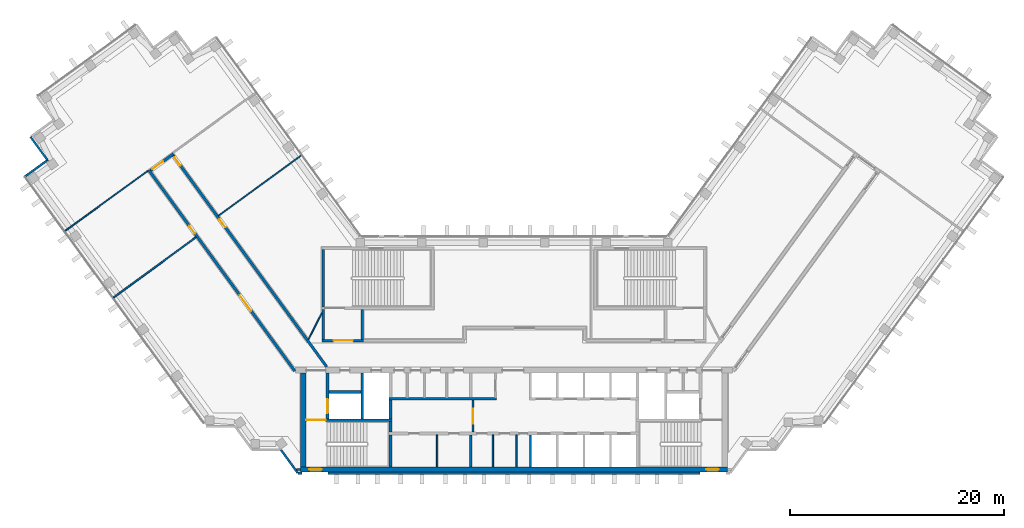
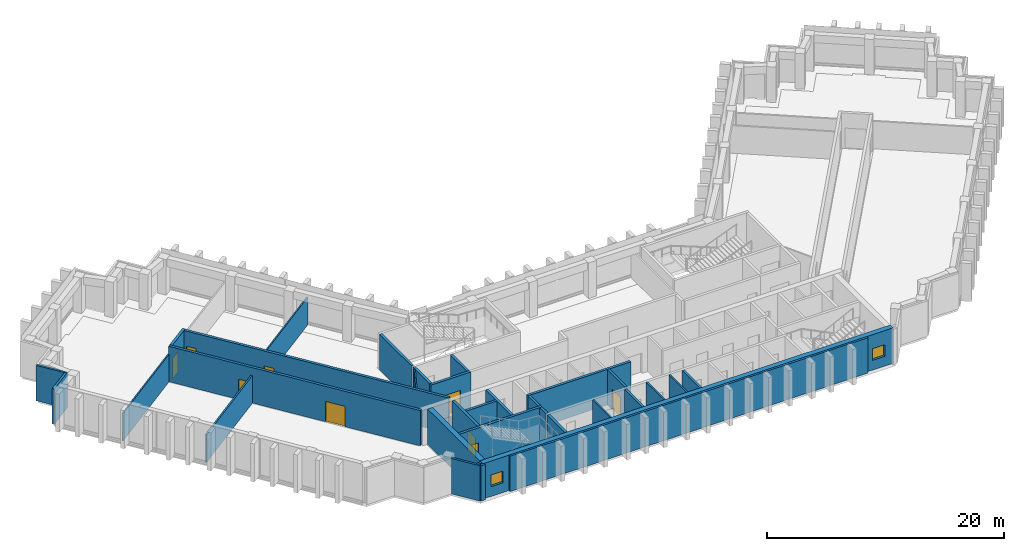
# One storey, part 4 of 10: 33 walls, 9 doors, 2 windows, 11 openings.
"""IFC4 building model written with IfcOpenShell, lengths in metres."""

from ifc_helpers import new_model, si_unit, direction, frame, frame_2d, origin, place, context, subcontext, project, spatial, rectangle, extrude, material, layer, layer_set, type_object, element, fill, save


model = new_model("IFC4")

# Units and contexts
model_context = context("Model", 3, precision=1e-05, world=origin(), true_north=direction((0.0, 1.0)))
body_context = subcontext(model_context, "Body", "Model", "MODEL_VIEW")
ifc_project = project(units=[si_unit("LENGTHUNIT", "METRE"), si_unit("AREAUNIT", "SQUARE_METRE"), si_unit("VOLUMEUNIT", "CUBIC_METRE"), si_unit("PLANEANGLEUNIT", "RADIAN"), si_unit("MASSUNIT", "GRAM", prefix="KILO")], contexts=[model_context])

# Site, building, storey
site_placement = place(None, origin())
site = spatial("IfcSite", under=ifc_project, at=site_placement, CompositionType="ELEMENT")
building_placement = place(site_placement, origin())
building = spatial("IfcBuilding", under=site, at=building_placement, Name="Quipu Civic Tower", CompositionType="ELEMENT")
storey_placement = place(building_placement, frame((0.0, 0.0, 180.0)))
storey = spatial("IfcBuildingStorey", under=building, at=storey_placement, Name="L42", CompositionType="ELEMENT", Elevation=180.0)

# Walls
ifc_material_1 = material(Name="Double gypsum plasterboard with mineral wool")
ifc_layer_1 = layer(ifc_material_1, 0.14990234375)
ifc_layer_set_1 = layer_set([ifc_layer_1], Name="Double gypsum plasterboard with mineral wool")
wall_type_1 = type_object("IfcWallType", Name="Acoustic partition 150 plasterboard", PredefinedType="PARTITIONING", material=ifc_layer_set_1)
wall_1_placement = place(storey_placement, frame((-37.506103515625, 5.380615234375, 0.0), z_axis=(0.0, 0.0, 1.0), x_axis=(0.807645841498, 0.589667868135, 0.0)))
element("IfcWall", 1, at=wall_1_placement, inside=storey, type_object=wall_type_1, Name="Partition P08", PredefinedType="PARTITIONING", context=body_context, shape_type="SweptSolid", body=[
    extrude(rectangle(XDim=9.550537109375, YDim=0.14990234375, at=frame_2d((4.775390625, 0.0))), origin(), (0.0, 0.0, 1.0), 2.85009765625),
])
ifc_material_2 = material(Name="Concrete C70/85", Category="concrete")
ifc_layer_2 = layer(ifc_material_2, 0.25)
ifc_layer_set_2 = layer_set([ifc_layer_2], Name="Concrete C70/85")
wall_type_2 = type_object("IfcWallType", Name="Core wall 250", PredefinedType="SHEAR", material=ifc_layer_set_2)
wall_2_placement = place(storey_placement, frame((-11.574951171875, -10.5, 0.0), z_axis=(0.0, 0.0, 1.0), x_axis=(0.0, 1.0, 0.0)))
element("IfcWall", 2, at=wall_2_placement, inside=storey, type_object=wall_type_2, Name="Core wall", PredefinedType="SHEAR", context=body_context, shape_type="SweptSolid", body=[
    extrude(rectangle(XDim=3.0, YDim=0.25, at=frame_2d((1.5, 0.0))), origin(), (0.0, 0.0, 1.0), 3.64990234375),
])
wall_3_placement = place(storey_placement, frame((-11.574951171875, -7.25, 0.0), z_axis=(0.0, 0.0, 1.0), x_axis=(0.0, 1.0, 0.0)))
element("IfcWall", 3, at=wall_3_placement, inside=storey, type_object=wall_type_2, Name="Core wall", PredefinedType="SHEAR", context=body_context, shape_type="SweptSolid", body=[
    extrude(rectangle(XDim=1.0, YDim=0.25, at=frame_2d((0.5, 0.0))), origin(), (0.0, 0.0, 1.0), 3.64990234375),
])

# Wall, opening, door
wall_4_placement = place(storey_placement, frame((-11.449951171875, -6.125, 0.0), z_axis=(0.0, 0.0, 1.0), x_axis=(-1.0, 0.0, 0.0)))
wall_4 = element("IfcWall", 4, at=wall_4_placement, inside=storey, type_object=wall_type_2, Name="Core wall", PredefinedType="SHEAR", context=body_context, shape_type="SweptSolid", body=[
    extrude(rectangle(XDim=8.050048828125, YDim=0.25, at=frame_2d((4.02490234375, 0.0))), origin(), (0.0, 0.0, 1.0), 3.64990234375),
])
opening_1_placement = place(wall_4_placement, frame((6.199951171875, 0.0, 0.0)))
opening_1 = element("IfcOpeningElement", 5, at=opening_1_placement, cuts=wall_4, Name="Opening CD-06", PredefinedType="OPENING", context=body_context, shape_type="SweptSolid", body=[
    extrude(rectangle(XDim=1.800048828125, YDim=2.10009765625, at=frame_2d((0.89990234375, 1.050048828125))), frame((0.0, 0.135009765625, 0.0), z_axis=(0.0, -1.0, 0.0), x_axis=(1.0, 0.0, 0.0)), (0.0, 0.0, 1.0), 0.27001953125),
])
ifc_material_3 = material(Name="Fire rated steel door", Category="steel")
door_type_1 = type_object("IfcDoorType", Name="Fire door FD90 double 1800 x 2100", OperationType="NOTDEFINED", PredefinedType="DOOR", material=ifc_material_3)
door_1_placement = place(opening_1_placement, origin())
door_1 = element("IfcDoor", 6, at=door_1_placement, inside=storey, type_object=door_type_1, Name="Door", OperationType="DOUBLE_DOOR_SINGLE_SWING", OverallHeight=2.10009765625, OverallWidth=1.800048828125, PredefinedType="DOOR", context=body_context, shape_type="SweptSolid", body=[
    extrude(rectangle(XDim=1.800048828125, YDim=2.10009765625, at=frame_2d((0.89990234375, 1.050048828125))), frame((0.0, 0.02490234375, 0.0), z_axis=(0.0, -1.0, 0.0), x_axis=(1.0, 0.0, 0.0)), (0.0, 0.0, 1.0), 0.050048828125),
])
fill(opening_1, door_1)

wall_5_placement = place(storey_placement, frame((-17.47509765625, -6.0, 0.0), z_axis=(0.0, 0.0, 1.0), x_axis=(0.0, 1.0, 0.0)))
wall_5 = element("IfcWall", 7, at=wall_5_placement, inside=storey, type_object=wall_type_2, Name="Core wall", PredefinedType="SHEAR", context=body_context, shape_type="SweptSolid", body=[
    extrude(rectangle(XDim=4.300048828125, YDim=0.25, at=frame_2d((2.14990234375, 0.0))), origin(), (0.0, 0.0, 1.0), 3.64990234375),
])
opening_2_placement = place(wall_5_placement, frame((0.550048828125, 0.0, 0.0)))
opening_2 = element("IfcOpeningElement", 8, at=opening_2_placement, cuts=wall_5, Name="Opening LD-FF1", PredefinedType="OPENING", context=body_context, shape_type="SweptSolid", body=[
    extrude(rectangle(XDim=1.300048828125, YDim=2.10009765625, at=frame_2d((0.64990234375, 1.050048828125))), frame((0.0, 0.135009765625, 0.0), z_axis=(0.0, -1.0, 0.0), x_axis=(1.0, 0.0, 0.0)), (0.0, 0.0, 1.0), 0.27001953125),
])
ifc_material_4 = material(Name="Stainless steel", Category="steel")
door_type_2 = type_object("IfcDoorType", Name="Lift landing door 1300 x 2100", OperationType="DOUBLE_DOOR_SLIDING", PredefinedType="DOOR", material=ifc_material_4)
door_2_placement = place(opening_2_placement, origin())
door_2 = element("IfcDoor", 9, at=door_2_placement, inside=storey, type_object=door_type_2, Name="Landing door FF1", OperationType="DOUBLE_DOOR_SLIDING", OverallHeight=2.10009765625, OverallWidth=1.300048828125, PredefinedType="DOOR", context=body_context, shape_type="SweptSolid", body=[
    extrude(rectangle(XDim=1.300048828125, YDim=2.10009765625, at=frame_2d((0.64990234375, 1.050048828125))), frame((0.0, 0.02490234375, 0.0), z_axis=(0.0, -1.0, 0.0), x_axis=(1.0, 0.0, 0.0)), (0.0, 0.0, 1.0), 0.050048828125),
])
fill(opening_2, door_2)

# Walls
wall_6_placement = place(storey_placement, frame((-14.22509765625, -6.0, 0.0), z_axis=(0.0, 0.0, 1.0), x_axis=(0.0, 1.0, 0.0)))
element("IfcWall", 10, at=wall_6_placement, inside=storey, type_object=wall_type_2, Name="Core wall", PredefinedType="SHEAR", context=body_context, shape_type="SweptSolid", body=[
    extrude(rectangle(XDim=4.300048828125, YDim=0.25, at=frame_2d((2.14990234375, 0.0))), origin(), (0.0, 0.0, 1.0), 3.64990234375),
])
wall_7_placement = place(storey_placement, frame((-11.574951171875, -6.0, 0.0), z_axis=(0.0, 0.0, 1.0), x_axis=(0.0, 1.0, 0.0)))
element("IfcWall", 11, at=wall_7_placement, inside=storey, type_object=wall_type_2, Name="Core wall", PredefinedType="SHEAR", context=body_context, shape_type="SweptSolid", body=[
    extrude(rectangle(XDim=1.75, YDim=0.25, at=frame_2d((0.875, 0.0))), origin(), (0.0, 0.0, 1.0), 3.64990234375),
])
wall_8_placement = place(storey_placement, frame((-11.699951171875, -4.125, 0.0), z_axis=(0.0, 0.0, 1.0), x_axis=(1.0, 0.0, 0.0)))
element("IfcWall", 12, at=wall_8_placement, inside=storey, type_object=wall_type_2, Name="Core wall", PredefinedType="SHEAR", context=body_context, shape_type="SweptSolid", body=[
    extrude(rectangle(XDim=10.050048828125, YDim=0.25, at=frame_2d((5.02490234375, 0.0))), origin(), (0.0, 0.0, 1.0), 3.64990234375),
])
wall_9_placement = place(storey_placement, frame((-17.35009765625, -3.47509765625, 0.0), z_axis=(0.0, 0.0, 1.0), x_axis=(1.0, 0.0, 0.0)))
element("IfcWall", 13, at=wall_9_placement, inside=storey, type_object=wall_type_2, Name="Core wall", PredefinedType="SHEAR", context=body_context, shape_type="SweptSolid", body=[
    extrude(rectangle(XDim=3.0, YDim=0.25, at=frame_2d((1.5, 0.0))), origin(), (0.0, 0.0, 1.0), 3.64990234375),
])

# Wall, opening, door
wall_10_placement = place(storey_placement, frame((-18.0, 1.324951171875, 0.0), z_axis=(0.0, 0.0, 1.0), x_axis=(1.0, 0.0, 0.0)))
wall_10 = element("IfcWall", 14, at=wall_10_placement, inside=storey, type_object=wall_type_2, Name="Core wall", PredefinedType="SHEAR", context=body_context, shape_type="SweptSolid", body=[
    extrude(rectangle(XDim=3.89990234375, YDim=0.25, at=frame_2d((1.949951171875, 0.0))), origin(), (0.0, 0.0, 1.0), 3.64990234375),
])
opening_3_placement = place(wall_10_placement, frame((1.10009765625, 0.0, 0.0)))
opening_3 = element("IfcOpeningElement", 15, at=opening_3_placement, cuts=wall_10, Name="Opening CD-22", PredefinedType="OPENING", context=body_context, shape_type="SweptSolid", body=[
    extrude(rectangle(XDim=1.800048828125, YDim=2.10009765625, at=frame_2d((0.89990234375, 1.050048828125))), frame((0.0, 0.135009765625, 0.0), z_axis=(0.0, -1.0, 0.0), x_axis=(1.0, 0.0, 0.0)), (0.0, 0.0, 1.0), 0.27001953125),
])
door_3_placement = place(opening_3_placement, origin())
door_3 = element("IfcDoor", 16, at=door_3_placement, inside=storey, type_object=door_type_1, Name="Lobby door", OperationType="DOUBLE_DOOR_SINGLE_SWING", OverallHeight=2.10009765625, OverallWidth=1.800048828125, PredefinedType="DOOR", context=body_context, shape_type="SweptSolid", body=[
    extrude(rectangle(XDim=1.800048828125, YDim=2.10009765625, at=frame_2d((0.89990234375, 1.050048828125))), frame((0.0, 0.02490234375, 0.0), z_axis=(0.0, -1.0, 0.0), x_axis=(1.0, 0.0, 0.0)), (0.0, 0.0, 1.0), 0.050048828125),
])
fill(opening_3, door_3)

# Walls
for number, where, z_axis, x_axis, name in (
    (17, (-17.875, 1.449951171875, 0.0), (0.0, 0.0, 1.0), (0.0, 1.0, 0.0), "Core wall"),
    (18, (-14.22509765625, 1.449951171875, 0.0), (0.0, 0.0, 1.0), (0.0, 1.0, 0.0), "Core wall"),
):
    element("IfcWall", number, at=place(storey_placement, frame(where, z_axis=z_axis, x_axis=x_axis)), inside=storey, type_object=wall_type_2, Name=name, PredefinedType="SHEAR", context=body_context, shape_type="SweptSolid", body=[
        extrude(rectangle(XDim=2.800048828125, YDim=0.25, at=frame_2d((1.39990234375, 0.0))), origin(), (0.0, 0.0, 1.0), 3.64990234375),
    ])
wall_11_placement = place(storey_placement, frame((-17.875, 4.5, 0.0), z_axis=(0.0, 0.0, 1.0), x_axis=(0.0, 1.0, 0.0)))
element("IfcWall", 19, at=wall_11_placement, inside=storey, type_object=wall_type_2, Name="Core wall", PredefinedType="SHEAR", context=body_context, shape_type="SweptSolid", body=[
    extrude(rectangle(XDim=5.35009765625, YDim=0.25, at=frame_2d((2.675048828125, 0.0))), origin(), (0.0, 0.0, 1.0), 3.64990234375),
])

# Wall, openings, windows
ifc_material_5 = material(Name="Concrete C70/85", Category="concrete")
ifc_layer_3 = layer(ifc_material_5, 0.5)
ifc_layer_set_3 = layer_set([ifc_layer_3], Name="Concrete C70/85")
wall_type_3 = type_object("IfcWallType", Name="Core wall 500", PredefinedType="SHEAR", material=ifc_layer_set_3)
wall_12_placement = place(storey_placement, frame((-20.0, -10.75, 0.0), z_axis=(0.0, 0.0, 1.0), x_axis=(1.0, 0.0, 0.0)))
wall_12 = element("IfcWall", 20, at=wall_12_placement, inside=storey, type_object=wall_type_3, Name="Core wall", PredefinedType="SHEAR", context=body_context, shape_type="SweptSolid", body=[
    extrude(rectangle(XDim=40.0, YDim=0.5, at=frame_2d((20.0, 0.0))), origin(), (0.0, 0.0, 1.0), 3.64990234375),
])
opening_4_placement = place(wall_12_placement, frame((0.800048828125, 0.0, 1.0)))
opening_4 = element("IfcOpeningElement", 21, at=opening_4_placement, cuts=wall_12, Name="Opening SV-1", PredefinedType="OPENING", context=body_context, shape_type="SweptSolid", body=[
    extrude(rectangle(XDim=1.199951171875, YDim=1.199951171875, at=frame_2d((0.60009765625, 0.60009765625))), frame((0.0, 0.260009765625, 0.0), z_axis=(0.0, -1.0, 0.0), x_axis=(1.0, 0.0, 0.0)), (0.0, 0.0, 1.0), 0.52001953125),
])
opening_5_placement = place(wall_12_placement, frame((38.0, 0.0, 1.0)))
opening_5 = element("IfcOpeningElement", 22, at=opening_5_placement, cuts=wall_12, Name="Opening SV-2", PredefinedType="OPENING", context=body_context, shape_type="SweptSolid", body=[
    extrude(rectangle(XDim=1.199951171875, YDim=1.199951171875, at=frame_2d((0.60009765625, 0.60009765625))), frame((0.0, 0.260009765625, 0.0), z_axis=(0.0, -1.0, 0.0), x_axis=(1.0, 0.0, 0.0)), (0.0, 0.0, 1.0), 0.52001953125),
])
ifc_material_6 = material(Name="Aluminium louvre", Category="aluminium")
window_type = type_object("IfcWindowType", Name="Stair ventilation louvre 1200 x 1200", PartitioningType="SINGLE_PANEL", PredefinedType="WINDOW", material=ifc_material_6)
window_1_placement = place(opening_4_placement, origin())
window_1 = element("IfcWindow", 23, at=window_1_placement, inside=storey, type_object=window_type, Name="Stair ventilation opening", OverallHeight=1.199951171875, OverallWidth=1.199951171875, PartitioningType="SINGLE_PANEL", PredefinedType="WINDOW", context=body_context, shape_type="SweptSolid", body=[
    extrude(rectangle(XDim=1.199951171875, YDim=1.199951171875, at=frame_2d((0.60009765625, 0.60009765625))), frame((0.0, 0.030029296875, 0.0), z_axis=(0.0, -1.0, 0.0), x_axis=(1.0, 0.0, 0.0)), (0.0, 0.0, 1.0), 0.06005859375),
])
fill(opening_4, window_1)
window_2_placement = place(opening_5_placement, origin())
window_2 = element("IfcWindow", 24, at=window_2_placement, inside=storey, type_object=window_type, Name="Stair ventilation opening", OverallHeight=1.199951171875, OverallWidth=1.199951171875, PartitioningType="SINGLE_PANEL", PredefinedType="WINDOW", context=body_context, shape_type="SweptSolid", body=[
    extrude(rectangle(XDim=1.199951171875, YDim=1.199951171875, at=frame_2d((0.60009765625, 0.60009765625))), frame((0.0, 0.030029296875, 0.0), z_axis=(0.0, -1.0, 0.0), x_axis=(1.0, 0.0, 0.0)), (0.0, 0.0, 1.0), 0.06005859375),
])
fill(opening_5, window_2)

# Wall
wall_13_placement = place(storey_placement, frame((-19.75, -10.5, 0.0), z_axis=(0.0, 0.0, 1.0), x_axis=(0.0, 1.0, 0.0)))
element("IfcWall", 25, at=wall_13_placement, inside=storey, type_object=wall_type_3, Name="Core wall", PredefinedType="SHEAR", context=body_context, shape_type="SweptSolid", body=[
    extrude(rectangle(XDim=8.800048828125, YDim=0.5, at=frame_2d((4.39990234375, 0.0))), origin(), (0.0, 0.0, 1.0), 3.64990234375),
])

# Wall, openings, doors
ifc_material_7 = material(Name="Concrete C50/60", Category="concrete")
ifc_layer_4 = layer(ifc_material_7, 0.25)
ifc_layer_set_4 = layer_set([ifc_layer_4], Name="Concrete C50/60")
wall_type_4 = type_object("IfcWallType", Name="Corridor wall 250 concrete", PredefinedType="SOLIDWALL", material=ifc_layer_set_4)
wall_14_placement = place(storey_placement, frame((-20.531005859375, -1.5234375, 0.0), z_axis=(0.0, 0.0, 1.0), x_axis=(-0.587784239999, 0.809017729849, 0.0)))
wall_14 = element("IfcWall", 26, at=wall_14_placement, inside=storey, type_object=wall_type_4, Name="Corridor wall C04", PredefinedType="SOLIDWALL", context=body_context, shape_type="SweptSolid", body=[
    extrude(rectangle(XDim=23.2705078125, YDim=0.25, at=frame_2d((11.63525390625, 0.0))), origin(), (0.0, 0.0, 1.0), 3.64990234375),
])
opening_6_placement = place(wall_14_placement, frame((15.915771484375, 0.0, 0.0)))
opening_6 = element("IfcOpeningElement", 27, at=opening_6_placement, cuts=wall_14, Name="Opening D010", PredefinedType="OPENING", context=body_context, shape_type="SweptSolid", body=[
    extrude(rectangle(XDim=0.89990234375, YDim=2.10009765625, at=frame_2d((0.449951171875, 1.050048828125))), frame((0.0, 0.135009765625, 0.0), z_axis=(0.0, -1.0, 0.0), x_axis=(1.0, 0.0, 0.0)), (0.0, 0.0, 1.0), 0.27001953125),
])
opening_7_placement = place(wall_14_placement, frame((6.974365234375, 0.0, 0.0)))
opening_7 = element("IfcOpeningElement", 28, at=opening_7_placement, cuts=wall_14, Name="Opening D011", PredefinedType="OPENING", context=body_context, shape_type="SweptSolid", body=[
    extrude(rectangle(XDim=1.800048828125, YDim=2.10009765625, at=frame_2d((0.89990234375, 1.050048828125))), frame((0.0, 0.135009765625, 0.0), z_axis=(0.0, -1.0, 0.0), x_axis=(1.0, 0.0, 0.0)), (0.0, 0.0, 1.0), 0.27001953125),
])
ifc_material_8 = material(Name="Fire rated timber door set with metal frame", Category="wood")
door_type_3 = type_object("IfcDoorType", Name="Double door 1800 x 2100 FD60", OperationType="DOUBLE_DOOR_SINGLE_SWING", PredefinedType="DOOR", material=ifc_material_8)
door_4_placement = place(opening_7_placement, origin())
door_4 = element("IfcDoor", 29, at=door_4_placement, inside=storey, type_object=door_type_3, Name="Door D011", OperationType="DOUBLE_DOOR_SINGLE_SWING", OverallHeight=2.10009765625, OverallWidth=1.800048828125, PredefinedType="DOOR", context=body_context, shape_type="SweptSolid", body=[
    extrude(rectangle(XDim=1.800048828125, YDim=2.10009765625, at=frame_2d((0.89990234375, 1.050048828125))), frame((0.0, 0.02490234375, 0.0), z_axis=(0.0, -1.0, 0.0), x_axis=(1.0, 0.0, 0.0)), (0.0, 0.0, 1.0), 0.050048828125),
])
fill(opening_7, door_4)
ifc_material_9 = material(Name="Fire rated timber door set with metal frame", Category="wood")
door_type_4 = type_object("IfcDoorType", Name="Single door 900 x 2100 FD60", OperationType="NOTDEFINED", PredefinedType="DOOR", material=ifc_material_9)
door_5_placement = place(opening_6_placement, origin())
door_5 = element("IfcDoor", 30, at=door_5_placement, inside=storey, type_object=door_type_4, Name="Door D010", OperationType="SINGLE_SWING_LEFT", OverallHeight=2.10009765625, OverallWidth=0.89990234375, PredefinedType="DOOR", context=body_context, shape_type="SweptSolid", body=[
    extrude(rectangle(XDim=0.89990234375, YDim=2.10009765625, at=frame_2d((0.449951171875, 1.050048828125))), frame((0.0, 0.02490234375, 0.0), z_axis=(0.0, -1.0, 0.0), x_axis=(1.0, 0.0, 0.0)), (0.0, 0.0, 1.0), 0.050048828125),
])
fill(opening_6, door_5)

# Wall, opening, door
wall_15_placement = place(storey_placement, frame((-34.0341796875, 17.275146484375, 0.0), z_axis=(0.0, 0.0, 1.0), x_axis=(0.809006914995, 0.587799125119, 0.0)))
wall_15 = element("IfcWall", 31, at=wall_15_placement, inside=storey, type_object=wall_type_4, Name="Corridor wall C05", PredefinedType="SOLIDWALL", context=body_context, shape_type="SweptSolid", body=[
    extrude(rectangle(XDim=2.64990234375, YDim=0.25, at=frame_2d((1.324951171875, 0.0))), origin(), (0.0, 0.0, 1.0), 3.64990234375),
])
opening_8_placement = place(wall_15_placement, frame((0.224365234375, 0.0, 0.0)))
opening_8 = element("IfcOpeningElement", 32, at=opening_8_placement, cuts=wall_15, Name="Opening D012", PredefinedType="OPENING", context=body_context, shape_type="SweptSolid", body=[
    extrude(rectangle(XDim=1.199951171875, YDim=2.10009765625, at=frame_2d((0.60009765625, 1.050048828125))), frame((0.0, 0.135009765625, 0.0), z_axis=(0.0, -1.0, 0.0), x_axis=(1.0, 0.0, 0.0)), (0.0, 0.0, 1.0), 0.27001953125),
])
ifc_material_10 = material(Name="Fire rated timber door set with metal frame", Category="wood")
door_type_5 = type_object("IfcDoorType", Name="Single door 1200 x 2100 FD60", OperationType="NOTDEFINED", PredefinedType="DOOR", material=ifc_material_10)
door_6_placement = place(opening_8_placement, origin())
door_6 = element("IfcDoor", 33, at=door_6_placement, inside=storey, type_object=door_type_5, Name="Door D012", OperationType="SINGLE_SWING_LEFT", OverallHeight=2.10009765625, OverallWidth=1.199951171875, PredefinedType="DOOR", context=body_context, shape_type="SweptSolid", body=[
    extrude(rectangle(XDim=1.199951171875, YDim=2.10009765625, at=frame_2d((0.60009765625, 1.050048828125))), frame((0.0, 0.02490234375, 0.0), z_axis=(0.0, -1.0, 0.0), x_axis=(1.0, 0.0, 0.0)), (0.0, 0.0, 1.0), 0.050048828125),
])
fill(opening_8, door_6)

# Wall, openings, doors
wall_16_placement = place(storey_placement, frame((-31.918212890625, 18.658203125, 0.0), z_axis=(0.0, 0.0, 1.0), x_axis=(0.587788731405, -0.80901446664, 0.0)))
wall_16 = element("IfcWall", 34, at=wall_16_placement, inside=storey, type_object=wall_type_4, Name="Corridor wall C06", PredefinedType="SOLIDWALL", context=body_context, shape_type="SweptSolid", body=[
    extrude(rectangle(XDim=24.453125, YDim=0.25, at=frame_2d((12.2265625, 0.0))), origin(), (0.0, 0.0, 1.0), 3.64990234375),
])
opening_9_placement = place(wall_16_placement, frame((0.22412109375, 0.0, 0.0)))
opening_9 = element("IfcOpeningElement", 35, at=opening_9_placement, cuts=wall_16, Name="Opening D008", PredefinedType="OPENING", context=body_context, shape_type="SweptSolid", body=[
    extrude(rectangle(XDim=0.89990234375, YDim=2.10009765625, at=frame_2d((0.449951171875, 1.050048828125))), frame((0.0, 0.135009765625, 0.0), z_axis=(0.0, -1.0, 0.0), x_axis=(1.0, 0.0, 0.0)), (0.0, 0.0, 1.0), 0.27001953125),
])
opening_10_placement = place(wall_16_placement, frame((7.394775390625, 0.0, 0.0)))
opening_10 = element("IfcOpeningElement", 36, at=opening_10_placement, cuts=wall_16, Name="Opening D009", PredefinedType="OPENING", context=body_context, shape_type="SweptSolid", body=[
    extrude(rectangle(XDim=0.89990234375, YDim=2.10009765625, at=frame_2d((0.449951171875, 1.050048828125))), frame((0.0, 0.135009765625, 0.0), z_axis=(0.0, -1.0, 0.0), x_axis=(1.0, 0.0, 0.0)), (0.0, 0.0, 1.0), 0.27001953125),
])
door_7_placement = place(opening_9_placement, origin())
door_7 = element("IfcDoor", 37, at=door_7_placement, inside=storey, type_object=door_type_4, Name="Door D008", OperationType="SINGLE_SWING_LEFT", OverallHeight=2.10009765625, OverallWidth=0.89990234375, PredefinedType="DOOR", context=body_context, shape_type="SweptSolid", body=[
    extrude(rectangle(XDim=0.89990234375, YDim=2.10009765625, at=frame_2d((0.449951171875, 1.050048828125))), frame((0.0, 0.02490234375, 0.0), z_axis=(0.0, -1.0, 0.0), x_axis=(1.0, 0.0, 0.0)), (0.0, 0.0, 1.0), 0.050048828125),
])
fill(opening_9, door_7)
door_8_placement = place(opening_10_placement, origin())
door_8 = element("IfcDoor", 38, at=door_8_placement, inside=storey, type_object=door_type_4, Name="Door D009", OperationType="SINGLE_SWING_LEFT", OverallHeight=2.10009765625, OverallWidth=0.89990234375, PredefinedType="DOOR", context=body_context, shape_type="SweptSolid", body=[
    extrude(rectangle(XDim=0.89990234375, YDim=2.10009765625, at=frame_2d((0.449951171875, 1.050048828125))), frame((0.0, 0.02490234375, 0.0), z_axis=(0.0, -1.0, 0.0), x_axis=(1.0, 0.0, 0.0)), (0.0, 0.0, 1.0), 0.050048828125),
])
fill(opening_10, door_8)

# Walls
ifc_material_11 = material(Name="Gypsum plasterboard on light gauge framing")
ifc_layer_5 = layer(ifc_material_11, 0.1201171875)
ifc_layer_set_5 = layer_set([ifc_layer_5], Name="Gypsum plasterboard on light gauge framing")
wall_type_5 = type_object("IfcWallType", Name="Partition 120 plasterboard", PredefinedType="PARTITIONING", material=ifc_layer_set_5)
wall_17_placement = place(storey_placement, frame((-27.676025390625, 13.031982421875, 0.0), z_axis=(0.0, 0.0, 1.0), x_axis=(0.807606997933, 0.589721067023, 0.0)))
element("IfcWall", 39, at=wall_17_placement, inside=storey, type_object=wall_type_5, Name="Partition P05", PredefinedType="PARTITIONING", context=body_context, shape_type="SweptSolid", body=[
    extrude(rectangle(XDim=9.550048828125, YDim=0.1201171875, at=frame_2d((4.77490234375, 0.0))), origin(), (0.0, 0.0, 1.0), 2.85009765625),
])
wall_18_placement = place(storey_placement, frame((-42.035888671875, 11.615478515625, 0.0), z_axis=(0.0, 0.0, 1.0), x_axis=(0.808985331811, 0.587828829605, 0.0)))
element("IfcWall", 40, at=wall_18_placement, inside=storey, type_object=wall_type_5, Name="Partition P06", PredefinedType="PARTITIONING", context=body_context, shape_type="SweptSolid", body=[
    extrude(rectangle(XDim=9.56982421875, YDim=0.1201171875, at=frame_2d((4.784912109375, 0.0))), origin(), (0.0, 0.0, 1.0), 2.85009765625),
])
wall_19_placement = place(storey_placement, frame((-19.260986328125, 1.449951171875, 0.0), z_axis=(0.0, 0.0, 1.0), x_axis=(0.453950796792, 0.891026752736, 0.0)))
element("IfcWall", 41, at=wall_19_placement, inside=storey, type_object=wall_type_5, Name="Partition P10", PredefinedType="PARTITIONING", context=body_context, shape_type="SweptSolid", body=[
    extrude(rectangle(XDim=2.77783203125, YDim=0.1201171875, at=frame_2d((1.388916015625, 0.0))), origin(), (0.0, 0.0, 1.0), 3.64990234375),
])
ifc_material_12 = material(Name="Gypsum board partition")
ifc_layer_6 = layer(ifc_material_12, 0.14990234375)
ifc_layer_set_6 = layer_set([ifc_layer_6], Name="Gypsum board partition")
wall_type_6 = type_object("IfcWallType", Name="Partition 150", PredefinedType="PARTITIONING", material=ifc_layer_set_6)
for number, where, z_axis, x_axis, name in (
    (42, (-7.199951171875, -10.5, 0.0), (0.0, 0.0, 1.0), (0.0, 1.0, 0.0), "Partition"),
    (43, (-1.97509765625, -10.5, 0.0), (0.0, 0.0, 1.0), (0.0, 1.0, 0.0), "Partition"),
    (44, (0.22509765625, -10.5, 0.0), (0.0, 0.0, 1.0), (0.0, 1.0, 0.0), "Partition"),
):
    element("IfcWall", number, at=place(storey_placement, frame(where, z_axis=z_axis, x_axis=x_axis)), inside=storey, type_object=wall_type_6, Name=name, PredefinedType="PARTITIONING", context=body_context, shape_type="SweptSolid", body=[
        extrude(rectangle(XDim=3.0, YDim=0.14990234375, at=frame_2d((1.5, 0.0))), origin(), (0.0, 0.0, 1.0), 3.64990234375),
    ])
ifc_material_13 = material(Name="Precast concrete C40/50", Category="concrete")
wall_type_7 = type_object("IfcWallType", Name="Precast cladding wall", PredefinedType="SOLIDWALL", material=ifc_material_13)
for number, where, z_axis, x_axis, name in (
    (45, (-45.29638671875, 20.43359375, 0.0), (0.0, 0.0, 1.0), (0.587762999008, -0.809033161865, 0.0), "Precast cladding wall L42 P02"),
    (46, (-43.658203125, 18.271728515625, 0.0), (0.0, 0.0, 1.0), (-0.808958916286, -0.58786518162, 0.0), "Precast cladding wall L42 P03"),
):
    element("IfcWall", number, at=place(storey_placement, frame(where, z_axis=z_axis, x_axis=x_axis)), inside=storey, type_object=wall_type_7, Name=name, PredefinedType="SOLIDWALL", context=body_context, shape_type="SweptSolid", body=[
        extrude(rectangle(XDim=2.699951171875, YDim=0.199951171875, at=frame_2d((1.35009765625, 0.0))), origin(), (0.0, 0.0, 1.0), 3.64990234375),
    ])
wall_20_placement = place(storey_placement, frame((-21.8330078125, -8.90869140625, 0.0), z_axis=(0.0, 0.0, 1.0), x_axis=(0.587766567315, -0.809030569476, 0.0)))
element("IfcWall", 47, at=wall_20_placement, inside=storey, type_object=wall_type_7, Name="Precast cladding wall L42 12", PredefinedType="SOLIDWALL", context=body_context, shape_type="SweptSolid", body=[
    extrude(rectangle(XDim=2.687744140625, YDim=0.199951171875, at=frame_2d((1.34375, 0.0))), origin(), (0.0, 0.0, 1.0), 3.64990234375),
])
wall_21_placement = place(storey_placement, frame((-20.255859375, -11.087890625, 0.0), z_axis=(0.0, 0.0, 1.0), x_axis=(1.0, 0.0, 0.0)))
element("IfcWall", 48, at=wall_21_placement, inside=storey, type_object=wall_type_7, Name="Precast cladding wall L42 13", PredefinedType="SOLIDWALL", context=body_context, shape_type="SweptSolid", body=[
    extrude(rectangle(XDim=0.40576171875, YDim=0.199951171875, at=frame_2d((0.202880859375, 0.0))), origin(), (0.0, 0.0, 1.0), 3.64990234375),
])
wall_22_placement = place(storey_placement, frame((-17.44384765625, -11.087890625, 0.0), z_axis=(0.0, 0.0, 1.0), x_axis=(1.0, 0.0, 0.0)))
element("IfcWall", 49, at=wall_22_placement, inside=storey, type_object=wall_type_7, Name="Precast cladding wall L42 14", PredefinedType="SOLIDWALL", context=body_context, shape_type="SweptSolid", body=[
    extrude(rectangle(XDim=34.8876953125, YDim=0.199951171875, at=frame_2d((17.44384765625, 0.0))), origin(), (0.0, 0.0, 1.0), 3.64990234375),
])
wall_23_placement = place(storey_placement, frame((-19.97998046875, -10.75, 0.0), z_axis=(0.0, 0.0, 1.0), x_axis=(-1.0, 0.0, 0.0)))
element("IfcWall", 50, at=wall_23_placement, inside=storey, type_object=wall_type_7, Name="Precast cladding return L42 W", PredefinedType="SOLIDWALL", context=body_context, shape_type="SweptSolid", body=[
    extrude(rectangle(XDim=0.41650390625, YDim=0.199951171875, at=frame_2d((0.208251953125, 0.0))), origin(), (0.0, 0.0, 1.0), 3.64990234375),
])
ifc_material_14 = material(Name="Concrete C40/50", Category="concrete")
ifc_layer_7 = layer(ifc_material_14, 0.199951171875)
ifc_layer_set_7 = layer_set([ifc_layer_7], Name="Concrete C40/50")
wall_type_8 = type_object("IfcWallType", Name="Shaft wall 200", PredefinedType="SOLIDWALL", material=ifc_layer_set_7)
for number, where, z_axis, x_axis, name in (
    (51, (-4.050048828125, -10.5, 0.0), (0.0, 0.0, 1.0), (0.0, 1.0, 0.0), "Shaft wall"),
    (52, (1.550048828125, -10.5, 0.0), (0.0, 0.0, 1.0), (0.0, 1.0, 0.0), "Shaft wall"),
):
    element("IfcWall", number, at=place(storey_placement, frame(where, z_axis=z_axis, x_axis=x_axis)), inside=storey, type_object=wall_type_8, Name=name, PredefinedType="SOLIDWALL", context=body_context, shape_type="SweptSolid", body=[
        extrude(rectangle(XDim=3.0, YDim=0.199951171875, at=frame_2d((1.5, 0.0))), origin(), (0.0, 0.0, 1.0), 3.64990234375),
    ])

# Wall, opening, door
wall_24_placement = place(storey_placement, frame((-3.85009765625, -4.25, 0.0), z_axis=(0.0, 0.0, 1.0), x_axis=(0.0, -1.0, 0.0)))
wall_24 = element("IfcWall", 53, at=wall_24_placement, inside=storey, type_object=wall_type_8, Name="Shaft wall", PredefinedType="SOLIDWALL", context=body_context, shape_type="SweptSolid", body=[
    extrude(rectangle(XDim=3.0, YDim=0.199951171875, at=frame_2d((1.5, 0.0))), origin(), (0.0, 0.0, 1.0), 3.64990234375),
])
opening_11_placement = place(wall_24_placement, frame((0.800048828125, 0.0, 0.0)))
opening_11 = element("IfcOpeningElement", 54, at=opening_11_placement, cuts=wall_24, Name="Opening CD-08", PredefinedType="OPENING", context=body_context, shape_type="SweptSolid", body=[
    extrude(rectangle(XDim=1.39990234375, YDim=2.10009765625, at=frame_2d((0.699951171875, 1.050048828125))), frame((0.0, 0.10986328125, 0.0), z_axis=(0.0, -1.0, 0.0), x_axis=(1.0, 0.0, 0.0)), (0.0, 0.0, 1.0), 0.219970703125),
])
ifc_material_15 = material(Name="Fire rated steel door", Category="steel")
door_type_6 = type_object("IfcDoorType", Name="Fire door FD60 double 1400 x 2100", OperationType="NOTDEFINED", PredefinedType="DOOR", material=ifc_material_15)
door_9_placement = place(opening_11_placement, origin())
door_9 = element("IfcDoor", 55, at=door_9_placement, inside=storey, type_object=door_type_6, Name="Hall door", OperationType="DOUBLE_DOOR_SINGLE_SWING", OverallHeight=2.10009765625, OverallWidth=1.39990234375, PredefinedType="DOOR", context=body_context, shape_type="SweptSolid", body=[
    extrude(rectangle(XDim=1.39990234375, YDim=2.10009765625, at=frame_2d((0.699951171875, 1.050048828125))), frame((0.0, 0.02490234375, 0.0), z_axis=(0.0, -1.0, 0.0), x_axis=(1.0, 0.0, 0.0)), (0.0, 0.0, 1.0), 0.050048828125),
])
fill(opening_11, door_9)

save(model, "model.ifc")
